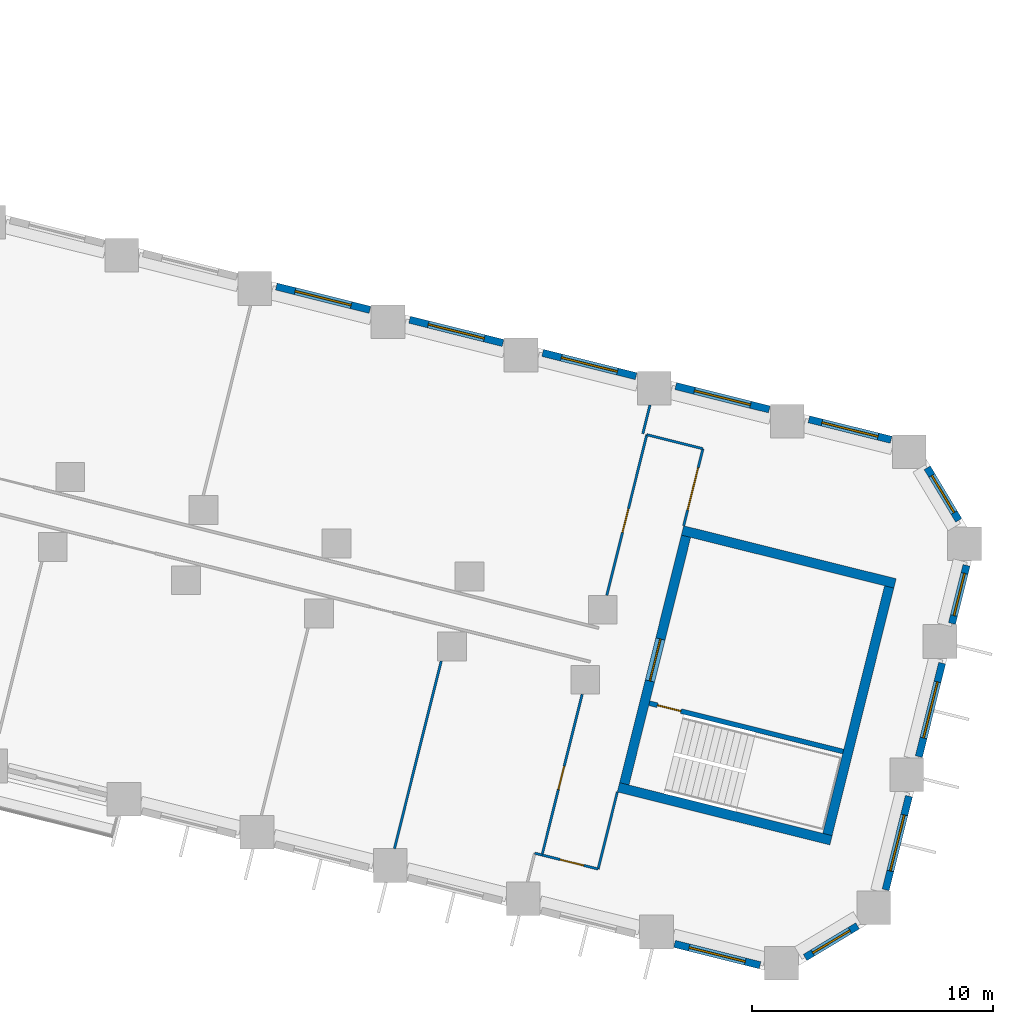
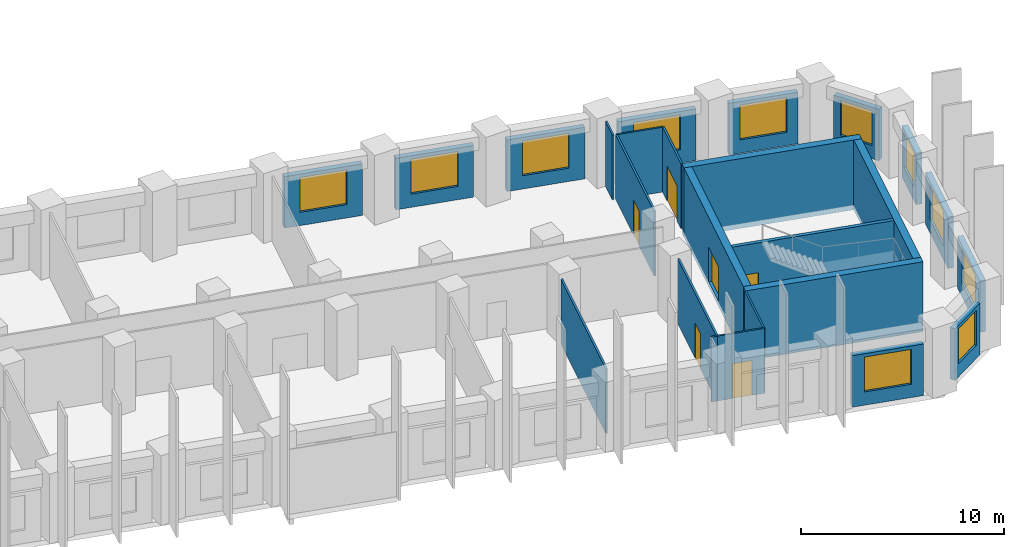
# One storey, part 8 of 12: 25 walls, 11 windows, 6 doors, 17 openings.
"""IFC4 building model written with IfcOpenShell, lengths in metres."""

from ifc_helpers import new_model, si_unit, direction, frame, frame_2d, origin, place, context, subcontext, project, spatial, rectangle, extrude, material, layer, layer_set, type_object, element, fill, save


model = new_model("IFC4")

# Units and contexts
model_context = context("Model", 3, precision=1e-05, world=origin(), true_north=direction((0.0, 1.0)))
body_context = subcontext(model_context, "Body", "Model", "MODEL_VIEW")
ifc_project = project(units=[si_unit("LENGTHUNIT", "METRE"), si_unit("AREAUNIT", "SQUARE_METRE"), si_unit("VOLUMEUNIT", "CUBIC_METRE"), si_unit("PLANEANGLEUNIT", "RADIAN"), si_unit("MASSUNIT", "GRAM", prefix="KILO")], contexts=[model_context])

# Site, building, storey
site_placement = place(None, origin())
site = spatial("IfcSite", under=ifc_project, at=site_placement, CompositionType="ELEMENT")
building_placement = place(site_placement, origin())
building = spatial("IfcBuilding", under=site, at=building_placement, Name="Meshkara Civic Tower", CompositionType="ELEMENT")
storey_placement = place(building_placement, frame((0.0, 0.0, 83.39990234375)))
storey = spatial("IfcBuildingStorey", under=building, at=storey_placement, Name="L18", CompositionType="ELEMENT", Elevation=83.39990234375)

# Wall, opening, door
ifc_material_1 = material(Name="Corridor wall 100")
ifc_layer_1 = layer(ifc_material_1, 0.10009765625)
ifc_layer_set_1 = layer_set([ifc_layer_1], Name="Corridor wall 100")
wall_type_1 = type_object("IfcWallType", Name="Corridor wall 100", PredefinedType="PARTITIONING", material=ifc_layer_set_1)
wall_1_placement = place(storey_placement, frame((72.93603515625, -15.7109375, 0.0), z_axis=(0.0, 0.0, 1.0), x_axis=(0.970232217337, -0.242176473756, 0.0)))
wall_1 = element("IfcWall", 1, at=wall_1_placement, inside=storey, type_object=wall_type_1, Name="L18-W024", PredefinedType="PARTITIONING", context=body_context, shape_type="SweptSolid", body=[
    extrude(rectangle(XDim=2.3994140625, YDim=0.10009765625, at=frame_2d((1.19970703125, 0.0))), origin(), (0.0, 0.0, 1.0), 3.900146484375),
])
opening_1_placement = place(wall_1_placement, frame((0.780029296875, 0.0, 0.0)))
opening_1 = element("IfcOpeningElement", 2, at=opening_1_placement, cuts=wall_1, Name="Opening L18-D002", PredefinedType="OPENING", context=body_context, shape_type="SweptSolid", body=[
    extrude(rectangle(XDim=1.0, YDim=2.10009765625, at=frame_2d((0.5, 1.050048828125))), frame((0.0, 0.06005859375, 0.0), z_axis=(0.0, -1.0, 0.0), x_axis=(1.0, 0.0, 0.0)), (0.0, 0.0, 1.0), 0.1201171875),
])
ifc_material_2 = material(Name="Door 1000 x 2100")
door_type_1 = type_object("IfcDoorType", Name="Door 1000 x 2100", OperationType="SINGLE_SWING_LEFT", PredefinedType="DOOR", material=ifc_material_2)
door_1_placement = place(opening_1_placement, origin())
door_1 = element("IfcDoor", 3, at=door_1_placement, inside=storey, type_object=door_type_1, Name="L18-D002", OperationType="SINGLE_SWING_LEFT", OverallHeight=2.10009765625, OverallWidth=1.0, PredefinedType="DOOR", context=body_context, shape_type="SweptSolid", body=[
    extrude(rectangle(XDim=1.0, YDim=2.10009765625, at=frame_2d((0.5, 1.050048828125))), frame((0.0, 0.02490234375, 0.0), z_axis=(0.0, -1.0, 0.0), x_axis=(1.0, 0.0, 0.0)), (0.0, 0.0, 1.0), 0.050048828125),
])
fill(opening_1, door_1)

wall_2_placement = place(storey_placement, frame((74.60205078125, -9.029052734375, 0.0), z_axis=(0.0, 0.0, 1.0), x_axis=(-0.241926631527, -0.970294545465, 0.0)))
wall_2 = element("IfcWall", 4, at=wall_2_placement, inside=storey, type_object=wall_type_1, Name="L18-W025", PredefinedType="PARTITIONING", context=body_context, shape_type="SweptSolid", body=[
    extrude(rectangle(XDim=6.886474609375, YDim=0.10009765625, at=frame_2d((3.443359375, 0.0))), origin(), (0.0, 0.0, 1.0), 3.900146484375),
])
opening_2_placement = place(wall_2_placement, frame((3.080078125, 0.0, 0.0)))
opening_2 = element("IfcOpeningElement", 5, at=opening_2_placement, cuts=wall_2, Name="Opening L18-D001", PredefinedType="OPENING", context=body_context, shape_type="SweptSolid", body=[
    extrude(rectangle(XDim=1.0, YDim=2.10009765625, at=frame_2d((0.5, 1.050048828125))), frame((0.0, 0.06005859375, 0.0), z_axis=(0.0, -1.0, 0.0), x_axis=(1.0, 0.0, 0.0)), (0.0, 0.0, 1.0), 0.1201171875),
])
door_2_placement = place(opening_2_placement, origin())
door_2 = element("IfcDoor", 6, at=door_2_placement, inside=storey, type_object=door_type_1, Name="L18-D001", OperationType="SINGLE_SWING_LEFT", OverallHeight=2.10009765625, OverallWidth=1.0, PredefinedType="DOOR", context=body_context, shape_type="SweptSolid", body=[
    extrude(rectangle(XDim=1.0, YDim=2.10009765625, at=frame_2d((0.5, 1.050048828125))), frame((0.0, 0.02490234375, 0.0), z_axis=(0.0, -1.0, 0.0), x_axis=(1.0, 0.0, 0.0)), (0.0, 0.0, 1.0), 0.050048828125),
])
fill(opening_2, door_2)

# Wall
wall_3_placement = place(storey_placement, frame((75.263916015625, -16.2919921875, 0.0), z_axis=(0.0, 0.0, 1.0), x_axis=(0.242135244173, 0.970242507587, 0.0)))
element("IfcWall", 7, at=wall_3_placement, inside=storey, type_object=wall_type_1, Name="L18-W026", PredefinedType="PARTITIONING", context=body_context, shape_type="SweptSolid", body=[
    extrude(rectangle(XDim=3.300048828125, YDim=0.10009765625, at=frame_2d((1.64990234375, 0.0))), origin(), (0.0, 0.0, 1.0), 3.900146484375),
])

# Wall, opening, door
wall_4_placement = place(storey_placement, frame((77.2900390625, 1.75390625, 0.0), z_axis=(0.0, 0.0, 1.0), x_axis=(-0.241867218289, -0.970309357224, 0.0)))
wall_4 = element("IfcWall", 8, at=wall_4_placement, inside=storey, type_object=wall_type_1, Name="L18-W027", PredefinedType="PARTITIONING", context=body_context, shape_type="SweptSolid", body=[
    extrude(rectangle(XDim=6.8759765625, YDim=0.10009765625, at=frame_2d((3.43798828125, 0.0))), origin(), (0.0, 0.0, 1.0), 3.900146484375),
])
opening_3_placement = place(wall_4_placement, frame((3.179931640625, 0.0, 0.0)))
opening_3 = element("IfcOpeningElement", 9, at=opening_3_placement, cuts=wall_4, Name="Opening L18-D008", PredefinedType="OPENING", context=body_context, shape_type="SweptSolid", body=[
    extrude(rectangle(XDim=1.0, YDim=2.10009765625, at=frame_2d((0.5, 1.050048828125))), frame((0.0, 0.06005859375, 0.0), z_axis=(0.0, -1.0, 0.0), x_axis=(1.0, 0.0, 0.0)), (0.0, 0.0, 1.0), 0.1201171875),
])
door_3_placement = place(opening_3_placement, origin())
door_3 = element("IfcDoor", 10, at=door_3_placement, inside=storey, type_object=door_type_1, Name="L18-D008", OperationType="SINGLE_SWING_LEFT", OverallHeight=2.10009765625, OverallWidth=1.0, PredefinedType="DOOR", context=body_context, shape_type="SweptSolid", body=[
    extrude(rectangle(XDim=1.0, YDim=2.10009765625, at=frame_2d((0.5, 1.050048828125))), frame((0.0, 0.02490234375, 0.0), z_axis=(0.0, -1.0, 0.0), x_axis=(1.0, 0.0, 0.0)), (0.0, 0.0, 1.0), 0.050048828125),
])
fill(opening_3, door_3)

wall_5_placement = place(storey_placement, frame((78.821044921875, -2.029052734375, 0.0), z_axis=(0.0, 0.0, 1.0), x_axis=(0.241769629392, 0.970333677816, 0.0)))
wall_5 = element("IfcWall", 11, at=wall_5_placement, inside=storey, type_object=wall_type_1, Name="L18-W028", PredefinedType="PARTITIONING", context=body_context, shape_type="SweptSolid", body=[
    extrude(rectangle(XDim=3.300048828125, YDim=0.10009765625, at=frame_2d((1.64990234375, 0.0))), origin(), (0.0, 0.0, 1.0), 3.900146484375),
])
opening_4_placement = place(wall_5_placement, frame((0.679931640625, 0.0, 0.0)))
opening_4 = element("IfcOpeningElement", 12, at=opening_4_placement, cuts=wall_5, Name="Opening L18-D009", PredefinedType="OPENING", context=body_context, shape_type="SweptSolid", body=[
    extrude(rectangle(XDim=1.800048828125, YDim=2.10009765625, at=frame_2d((0.89990234375, 1.050048828125))), frame((0.0, 0.06005859375, 0.0), z_axis=(0.0, -1.0, 0.0), x_axis=(1.0, 0.0, 0.0)), (0.0, 0.0, 1.0), 0.1201171875),
])
ifc_material_3 = material(Name="Door pair 1800 x 2100")
door_type_2 = type_object("IfcDoorType", Name="Door pair 1800 x 2100", OperationType="SINGLE_SWING_LEFT", PredefinedType="DOOR", material=ifc_material_3)
door_4_placement = place(opening_4_placement, origin())
door_4 = element("IfcDoor", 13, at=door_4_placement, inside=storey, type_object=door_type_2, Name="L18-D009", OperationType="DOUBLE_DOOR_SINGLE_SWING", OverallHeight=2.10009765625, OverallWidth=1.800048828125, PredefinedType="DOOR", context=body_context, shape_type="SweptSolid", body=[
    extrude(rectangle(XDim=1.800048828125, YDim=2.10009765625, at=frame_2d((0.89990234375, 1.050048828125))), frame((0.0, 0.02490234375, 0.0), z_axis=(0.0, -1.0, 0.0), x_axis=(1.0, 0.0, 0.0)), (0.0, 0.0, 1.0), 0.050048828125),
])
fill(opening_4, door_4)

# Wall
wall_6_placement = place(storey_placement, frame((79.618896484375, 1.173095703125, 0.0), z_axis=(0.0, 0.0, 1.0), x_axis=(-0.970279961304, 0.241985116673, 0.0)))
element("IfcWall", 14, at=wall_6_placement, inside=storey, type_object=wall_type_1, Name="L18-W029", PredefinedType="PARTITIONING", context=body_context, shape_type="SweptSolid", body=[
    extrude(rectangle(XDim=2.400146484375, YDim=0.10009765625, at=frame_2d((1.2001953125, 0.0))), origin(), (0.0, 0.0, 1.0), 3.900146484375),
])

# Wall, opening, window
ifc_material_4 = material(Name="Insulated infill panel with bronze anodised aluminium cladding", Category="aluminium")
ifc_layer_2 = layer(ifc_material_4, 0.300048828125)
ifc_layer_set_2 = layer_set([ifc_layer_2], Name="EXTERNAL INFILL WALL 300")
wall_type_2 = type_object("IfcWallType", Name="EXTERNAL INFILL WALL 300", PredefinedType="SOLIDWALL", material=ifc_layer_set_2)
wall_7_placement = place(storey_placement, frame((87.43505859375, 1.54296875, 0.0), z_axis=(0.0, 0.0, 1.0), x_axis=(-0.970289298425, 0.241947674843, 0.0)))
wall_7 = element("IfcWall", 15, at=wall_7_placement, inside=storey, type_object=wall_type_2, Name="External wall", PredefinedType="SOLIDWALL", context=body_context, shape_type="SweptSolid", body=[
    extrude(rectangle(XDim=3.517578125, YDim=0.300048828125, at=frame_2d((1.7587890625, 0.0))), origin(), (0.0, 0.0, 1.0), 3.10009765625),
])
opening_5_placement = place(wall_7_placement, frame((0.55908203125, 0.0, 0.800048828125)))
opening_5 = element("IfcOpeningElement", 16, at=opening_5_placement, cuts=wall_7, Name="Opening W7", PredefinedType="OPENING", context=body_context, shape_type="SweptSolid", body=[
    extrude(rectangle(XDim=2.39990234375, YDim=2.10009765625, at=frame_2d((1.199951171875, 1.050048828125))), frame((0.0, 0.159912109375, 0.0), z_axis=(0.0, -1.0, 0.0), x_axis=(1.0, 0.0, 0.0)), (0.0, 0.0, 1.0), 0.320068359375),
])
ifc_material_5 = material(Name="Tinted double glazing", Category="glass")
window_type_1 = type_object("IfcWindowType", Name="WINDOW 2400x2100", PartitioningType="DOUBLE_PANEL_VERTICAL", PredefinedType="WINDOW", material=ifc_material_5)
window_1_placement = place(opening_5_placement, origin())
window_1 = element("IfcWindow", 17, at=window_1_placement, inside=storey, type_object=window_type_1, Name="Window", OverallHeight=2.10009765625, OverallWidth=2.39990234375, PartitioningType="DOUBLE_PANEL_VERTICAL", PredefinedType="WINDOW", context=body_context, shape_type="SweptSolid", body=[
    extrude(rectangle(XDim=2.39990234375, YDim=2.10009765625, at=frame_2d((1.199951171875, 1.050048828125))), frame((0.0, 0.030029296875, 0.0), z_axis=(0.0, -1.0, 0.0), x_axis=(1.0, 0.0, 0.0)), (0.0, 0.0, 1.0), 0.06005859375),
])
fill(opening_5, window_1)

wall_8_placement = place(storey_placement, frame((82.375, 2.804931640625, 0.0), z_axis=(0.0, 0.0, 1.0), x_axis=(-0.970318045095, 0.24183236211, 0.0)))
wall_8 = element("IfcWall", 18, at=wall_8_placement, inside=storey, type_object=wall_type_2, Name="External wall", PredefinedType="SOLIDWALL", context=body_context, shape_type="SweptSolid", body=[
    extrude(rectangle(XDim=4.0029296875, YDim=0.300048828125, at=frame_2d((2.00146484375, 0.0))), origin(), (0.0, 0.0, 1.0), 3.10009765625),
])
opening_6_placement = place(wall_8_placement, frame((0.802001953125, 0.0, 0.800048828125)))
opening_6 = element("IfcOpeningElement", 19, at=opening_6_placement, cuts=wall_8, Name="Opening W7", PredefinedType="OPENING", context=body_context, shape_type="SweptSolid", body=[
    extrude(rectangle(XDim=2.39990234375, YDim=2.10009765625, at=frame_2d((1.199951171875, 1.050048828125))), frame((0.0, 0.159912109375, 0.0), z_axis=(0.0, -1.0, 0.0), x_axis=(1.0, 0.0, 0.0)), (0.0, 0.0, 1.0), 0.320068359375),
])
window_2_placement = place(opening_6_placement, origin())
window_2 = element("IfcWindow", 20, at=window_2_placement, inside=storey, type_object=window_type_1, Name="Window", OverallHeight=2.10009765625, OverallWidth=2.39990234375, PartitioningType="DOUBLE_PANEL_VERTICAL", PredefinedType="WINDOW", context=body_context, shape_type="SweptSolid", body=[
    extrude(rectangle(XDim=2.39990234375, YDim=2.10009765625, at=frame_2d((1.199951171875, 1.050048828125))), frame((0.0, 0.030029296875, 0.0), z_axis=(0.0, -1.0, 0.0), x_axis=(1.0, 0.0, 0.0)), (0.0, 0.0, 1.0), 0.06005859375),
])
fill(opening_6, window_2)

wall_9_placement = place(storey_placement, frame((76.843994140625, 4.18408203125, 0.0), z_axis=(0.0, 0.0, 1.0), x_axis=(-0.970303772127, 0.241889623168, 0.0)))
wall_9 = element("IfcWall", 21, at=wall_9_placement, inside=storey, type_object=wall_type_2, Name="External wall", PredefinedType="SOLIDWALL", context=body_context, shape_type="SweptSolid", body=[
    extrude(rectangle(XDim=4.001953125, YDim=0.300048828125, at=frame_2d((2.0009765625, 0.0))), origin(), (0.0, 0.0, 1.0), 3.10009765625),
])
opening_7_placement = place(wall_9_placement, frame((0.801025390625, 0.0, 0.800048828125)))
opening_7 = element("IfcOpeningElement", 22, at=opening_7_placement, cuts=wall_9, Name="Opening W7", PredefinedType="OPENING", context=body_context, shape_type="SweptSolid", body=[
    extrude(rectangle(XDim=2.39990234375, YDim=2.10009765625, at=frame_2d((1.199951171875, 1.050048828125))), frame((0.0, 0.159912109375, 0.0), z_axis=(0.0, -1.0, 0.0), x_axis=(1.0, 0.0, 0.0)), (0.0, 0.0, 1.0), 0.320068359375),
])
window_3_placement = place(opening_7_placement, origin())
window_3 = element("IfcWindow", 23, at=window_3_placement, inside=storey, type_object=window_type_1, Name="Window", OverallHeight=2.10009765625, OverallWidth=2.39990234375, PartitioningType="DOUBLE_PANEL_VERTICAL", PredefinedType="WINDOW", context=body_context, shape_type="SweptSolid", body=[
    extrude(rectangle(XDim=2.39990234375, YDim=2.10009765625, at=frame_2d((1.199951171875, 1.050048828125))), frame((0.0, 0.030029296875, 0.0), z_axis=(0.0, -1.0, 0.0), x_axis=(1.0, 0.0, 0.0)), (0.0, 0.0, 1.0), 0.06005859375),
])
fill(opening_7, window_3)

wall_10_placement = place(storey_placement, frame((71.31396484375, 5.56298828125, 0.0), z_axis=(0.0, 0.0, 1.0), x_axis=(-0.970318045095, 0.24183236211, 0.0)))
wall_10 = element("IfcWall", 24, at=wall_10_placement, inside=storey, type_object=wall_type_2, Name="External wall", PredefinedType="SOLIDWALL", context=body_context, shape_type="SweptSolid", body=[
    extrude(rectangle(XDim=4.0029296875, YDim=0.300048828125, at=frame_2d((2.00146484375, 0.0))), origin(), (0.0, 0.0, 1.0), 3.10009765625),
])
opening_8_placement = place(wall_10_placement, frame((0.802001953125, 0.0, 0.800048828125)))
opening_8 = element("IfcOpeningElement", 25, at=opening_8_placement, cuts=wall_10, Name="Opening W7", PredefinedType="OPENING", context=body_context, shape_type="SweptSolid", body=[
    extrude(rectangle(XDim=2.39990234375, YDim=2.10009765625, at=frame_2d((1.199951171875, 1.050048828125))), frame((0.0, 0.159912109375, 0.0), z_axis=(0.0, -1.0, 0.0), x_axis=(1.0, 0.0, 0.0)), (0.0, 0.0, 1.0), 0.320068359375),
])
window_4_placement = place(opening_8_placement, origin())
window_4 = element("IfcWindow", 26, at=window_4_placement, inside=storey, type_object=window_type_1, Name="Window", OverallHeight=2.10009765625, OverallWidth=2.39990234375, PartitioningType="DOUBLE_PANEL_VERTICAL", PredefinedType="WINDOW", context=body_context, shape_type="SweptSolid", body=[
    extrude(rectangle(XDim=2.39990234375, YDim=2.10009765625, at=frame_2d((1.199951171875, 1.050048828125))), frame((0.0, 0.030029296875, 0.0), z_axis=(0.0, -1.0, 0.0), x_axis=(1.0, 0.0, 0.0)), (0.0, 0.0, 1.0), 0.06005859375),
])
fill(opening_8, window_4)

wall_11_placement = place(storey_placement, frame((65.782958984375, 6.94189453125, 0.0), z_axis=(0.0, 0.0, 1.0), x_axis=(-0.970318045095, 0.24183236211, 0.0)))
wall_11 = element("IfcWall", 27, at=wall_11_placement, inside=storey, type_object=wall_type_2, Name="External wall", PredefinedType="SOLIDWALL", context=body_context, shape_type="SweptSolid", body=[
    extrude(rectangle(XDim=4.0029296875, YDim=0.300048828125, at=frame_2d((2.00146484375, 0.0))), origin(), (0.0, 0.0, 1.0), 3.10009765625),
])
opening_9_placement = place(wall_11_placement, frame((0.802001953125, 0.0, 0.800048828125)))
opening_9 = element("IfcOpeningElement", 28, at=opening_9_placement, cuts=wall_11, Name="Opening W7", PredefinedType="OPENING", context=body_context, shape_type="SweptSolid", body=[
    extrude(rectangle(XDim=2.39990234375, YDim=2.10009765625, at=frame_2d((1.199951171875, 1.050048828125))), frame((0.0, 0.159912109375, 0.0), z_axis=(0.0, -1.0, 0.0), x_axis=(1.0, 0.0, 0.0)), (0.0, 0.0, 1.0), 0.320068359375),
])
window_5_placement = place(opening_9_placement, origin())
window_5 = element("IfcWindow", 29, at=window_5_placement, inside=storey, type_object=window_type_1, Name="Window", OverallHeight=2.10009765625, OverallWidth=2.39990234375, PartitioningType="DOUBLE_PANEL_VERTICAL", PredefinedType="WINDOW", context=body_context, shape_type="SweptSolid", body=[
    extrude(rectangle(XDim=2.39990234375, YDim=2.10009765625, at=frame_2d((1.199951171875, 1.050048828125))), frame((0.0, 0.030029296875, 0.0), z_axis=(0.0, -1.0, 0.0), x_axis=(1.0, 0.0, 0.0)), (0.0, 0.0, 1.0), 0.06005859375),
])
fill(opening_9, window_5)

wall_12_placement = place(storey_placement, frame((78.43994140625, -19.402099609375, 0.0), z_axis=(0.0, 0.0, 1.0), x_axis=(0.970271818873, -0.24201776278, 0.0)))
wall_12 = element("IfcWall", 30, at=wall_12_placement, inside=storey, type_object=wall_type_2, Name="External wall", PredefinedType="SOLIDWALL", context=body_context, shape_type="SweptSolid", body=[
    extrude(rectangle(XDim=3.660888671875, YDim=0.300048828125, at=frame_2d((1.83056640625, 0.0))), origin(), (0.0, 0.0, 1.0), 3.10009765625),
])
opening_10_placement = place(wall_12_placement, frame((0.6298828125, 0.0, 0.800048828125)))
opening_10 = element("IfcOpeningElement", 31, at=opening_10_placement, cuts=wall_12, Name="Opening W7", PredefinedType="OPENING", context=body_context, shape_type="SweptSolid", body=[
    extrude(rectangle(XDim=2.39990234375, YDim=2.10009765625, at=frame_2d((1.199951171875, 1.050048828125))), frame((0.0, 0.159912109375, 0.0), z_axis=(0.0, -1.0, 0.0), x_axis=(1.0, 0.0, 0.0)), (0.0, 0.0, 1.0), 0.320068359375),
])
window_6_placement = place(opening_10_placement, origin())
window_6 = element("IfcWindow", 32, at=window_6_placement, inside=storey, type_object=window_type_1, Name="Window", OverallHeight=2.10009765625, OverallWidth=2.39990234375, PartitioningType="DOUBLE_PANEL_VERTICAL", PredefinedType="WINDOW", context=body_context, shape_type="SweptSolid", body=[
    extrude(rectangle(XDim=2.39990234375, YDim=2.10009765625, at=frame_2d((1.199951171875, 1.050048828125))), frame((0.0, 0.030029296875, 0.0), z_axis=(0.0, -1.0, 0.0), x_axis=(1.0, 0.0, 0.0)), (0.0, 0.0, 1.0), 0.06005859375),
])
fill(opening_10, window_6)

wall_13_placement = place(storey_placement, frame((83.865966796875, -19.965087890625, 0.0), z_axis=(0.0, 0.0, 1.0), x_axis=(0.857026568426, 0.515272220299, 0.0)))
wall_13 = element("IfcWall", 33, at=wall_13_placement, inside=storey, type_object=wall_type_2, Name="External wall", PredefinedType="SOLIDWALL", context=body_context, shape_type="SweptSolid", body=[
    extrude(rectangle(XDim=2.54248046875, YDim=0.300048828125, at=frame_2d((1.271240234375, 0.0))), origin(), (0.0, 0.0, 1.0), 3.10009765625),
])
opening_11_placement = place(wall_13_placement, frame((0.37109375, 0.0, 0.800048828125)))
opening_11 = element("IfcOpeningElement", 34, at=opening_11_placement, cuts=wall_13, Name="Opening W9", PredefinedType="OPENING", context=body_context, shape_type="SweptSolid", body=[
    extrude(rectangle(XDim=1.800048828125, YDim=2.10009765625, at=frame_2d((0.89990234375, 1.050048828125))), frame((0.0, 0.159912109375, 0.0), z_axis=(0.0, -1.0, 0.0), x_axis=(1.0, 0.0, 0.0)), (0.0, 0.0, 1.0), 0.320068359375),
])
ifc_material_6 = material(Name="Tinted double glazing", Category="glass")
window_type_2 = type_object("IfcWindowType", Name="WINDOW 1800x2100", PartitioningType="DOUBLE_PANEL_VERTICAL", PredefinedType="WINDOW", material=ifc_material_6)
window_7_placement = place(opening_11_placement, origin())
window_7 = element("IfcWindow", 35, at=window_7_placement, inside=storey, type_object=window_type_2, Name="Window", OverallHeight=2.10009765625, OverallWidth=1.800048828125, PartitioningType="DOUBLE_PANEL_VERTICAL", PredefinedType="WINDOW", context=body_context, shape_type="SweptSolid", body=[
    extrude(rectangle(XDim=1.800048828125, YDim=2.10009765625, at=frame_2d((0.89990234375, 1.050048828125))), frame((0.0, 0.030029296875, 0.0), z_axis=(0.0, -1.0, 0.0), x_axis=(1.0, 0.0, 0.0)), (0.0, 0.0, 1.0), 0.06005859375),
])
fill(opening_11, window_7)

wall_14_placement = place(storey_placement, frame((87.2109375, -17.152099609375, 0.0), z_axis=(0.0, 0.0, 1.0), x_axis=(0.24183236211, 0.970318045095, 0.0)))
wall_14 = element("IfcWall", 36, at=wall_14_placement, inside=storey, type_object=wall_type_2, Name="External wall", PredefinedType="SOLIDWALL", context=body_context, shape_type="SweptSolid", body=[
    extrude(rectangle(XDim=4.0029296875, YDim=0.300048828125, at=frame_2d((2.00146484375, 0.0))), origin(), (0.0, 0.0, 1.0), 3.10009765625),
])
opening_12_placement = place(wall_14_placement, frame((0.802001953125, 0.0, 0.800048828125)))
opening_12 = element("IfcOpeningElement", 37, at=opening_12_placement, cuts=wall_14, Name="Opening W7", PredefinedType="OPENING", context=body_context, shape_type="SweptSolid", body=[
    extrude(rectangle(XDim=2.39990234375, YDim=2.10009765625, at=frame_2d((1.199951171875, 1.050048828125))), frame((0.0, 0.159912109375, 0.0), z_axis=(0.0, -1.0, 0.0), x_axis=(1.0, 0.0, 0.0)), (0.0, 0.0, 1.0), 0.320068359375),
])
window_8_placement = place(opening_12_placement, origin())
window_8 = element("IfcWindow", 38, at=window_8_placement, inside=storey, type_object=window_type_1, Name="Window", OverallHeight=2.10009765625, OverallWidth=2.39990234375, PartitioningType="DOUBLE_PANEL_VERTICAL", PredefinedType="WINDOW", context=body_context, shape_type="SweptSolid", body=[
    extrude(rectangle(XDim=2.39990234375, YDim=2.10009765625, at=frame_2d((1.199951171875, 1.050048828125))), frame((0.0, 0.030029296875, 0.0), z_axis=(0.0, -1.0, 0.0), x_axis=(1.0, 0.0, 0.0)), (0.0, 0.0, 1.0), 0.06005859375),
])
fill(opening_12, window_8)

wall_15_placement = place(storey_placement, frame((88.590087890625, -11.62109375, 0.0), z_axis=(0.0, 0.0, 1.0), x_axis=(0.241889623168, 0.970303772127, 0.0)))
wall_15 = element("IfcWall", 39, at=wall_15_placement, inside=storey, type_object=wall_type_2, Name="External wall", PredefinedType="SOLIDWALL", context=body_context, shape_type="SweptSolid", body=[
    extrude(rectangle(XDim=4.001953125, YDim=0.300048828125, at=frame_2d((2.0009765625, 0.0))), origin(), (0.0, 0.0, 1.0), 3.10009765625),
])
opening_13_placement = place(wall_15_placement, frame((0.801025390625, 0.0, 0.800048828125)))
opening_13 = element("IfcOpeningElement", 40, at=opening_13_placement, cuts=wall_15, Name="Opening W7", PredefinedType="OPENING", context=body_context, shape_type="SweptSolid", body=[
    extrude(rectangle(XDim=2.39990234375, YDim=2.10009765625, at=frame_2d((1.199951171875, 1.050048828125))), frame((0.0, 0.159912109375, 0.0), z_axis=(0.0, -1.0, 0.0), x_axis=(1.0, 0.0, 0.0)), (0.0, 0.0, 1.0), 0.320068359375),
])
window_9_placement = place(opening_13_placement, origin())
window_9 = element("IfcWindow", 41, at=window_9_placement, inside=storey, type_object=window_type_1, Name="Window", OverallHeight=2.10009765625, OverallWidth=2.39990234375, PartitioningType="DOUBLE_PANEL_VERTICAL", PredefinedType="WINDOW", context=body_context, shape_type="SweptSolid", body=[
    extrude(rectangle(XDim=2.39990234375, YDim=2.10009765625, at=frame_2d((1.199951171875, 1.050048828125))), frame((0.0, 0.030029296875, 0.0), z_axis=(0.0, -1.0, 0.0), x_axis=(1.0, 0.0, 0.0)), (0.0, 0.0, 1.0), 0.06005859375),
])
fill(opening_13, window_9)

wall_16_placement = place(storey_placement, frame((89.968994140625, -6.091064453125, 0.0), z_axis=(0.0, 0.0, 1.0), x_axis=(0.241797277733, 0.9703267885, 0.0)))
wall_16 = element("IfcWall", 42, at=wall_16_placement, inside=storey, type_object=wall_type_2, Name="External wall", PredefinedType="SOLIDWALL", context=body_context, shape_type="SweptSolid", body=[
    extrude(rectangle(XDim=2.489990234375, YDim=0.300048828125, at=frame_2d((1.2451171875, 0.0))), origin(), (0.0, 0.0, 1.0), 3.10009765625),
])
opening_14_placement = place(wall_16_placement, frame((0.344970703125, 0.0, 0.800048828125)))
opening_14 = element("IfcOpeningElement", 43, at=opening_14_placement, cuts=wall_16, Name="Opening W9", PredefinedType="OPENING", context=body_context, shape_type="SweptSolid", body=[
    extrude(rectangle(XDim=1.800048828125, YDim=2.10009765625, at=frame_2d((0.89990234375, 1.050048828125))), frame((0.0, 0.159912109375, 0.0), z_axis=(0.0, -1.0, 0.0), x_axis=(1.0, 0.0, 0.0)), (0.0, 0.0, 1.0), 0.320068359375),
])
window_10_placement = place(opening_14_placement, origin())
window_10 = element("IfcWindow", 44, at=window_10_placement, inside=storey, type_object=window_type_2, Name="Window", OverallHeight=2.10009765625, OverallWidth=1.800048828125, PartitioningType="DOUBLE_PANEL_VERTICAL", PredefinedType="WINDOW", context=body_context, shape_type="SweptSolid", body=[
    extrude(rectangle(XDim=1.800048828125, YDim=2.10009765625, at=frame_2d((0.89990234375, 1.050048828125))), frame((0.0, 0.030029296875, 0.0), z_axis=(0.0, -1.0, 0.0), x_axis=(1.0, 0.0, 0.0)), (0.0, 0.0, 1.0), 0.06005859375),
])
fill(opening_14, window_10)

wall_17_placement = place(storey_placement, frame((90.248046875, -1.801025390625, 0.0), z_axis=(0.0, 0.0, 1.0), x_axis=(-0.515441886055, 0.856924536992, 0.0)))
wall_17 = element("IfcWall", 45, at=wall_17_placement, inside=storey, type_object=wall_type_2, Name="External wall", PredefinedType="SOLIDWALL", context=body_context, shape_type="SweptSolid", body=[
    extrude(rectangle(XDim=2.54150390625, YDim=0.300048828125, at=frame_2d((1.270751953125, 0.0))), origin(), (0.0, 0.0, 1.0), 3.10009765625),
])
opening_15_placement = place(wall_17_placement, frame((0.37109375, 0.0, 0.800048828125)))
opening_15 = element("IfcOpeningElement", 46, at=opening_15_placement, cuts=wall_17, Name="Opening W9", PredefinedType="OPENING", context=body_context, shape_type="SweptSolid", body=[
    extrude(rectangle(XDim=1.800048828125, YDim=2.10009765625, at=frame_2d((0.89990234375, 1.050048828125))), frame((0.0, 0.159912109375, 0.0), z_axis=(0.0, -1.0, 0.0), x_axis=(1.0, 0.0, 0.0)), (0.0, 0.0, 1.0), 0.320068359375),
])
window_11_placement = place(opening_15_placement, origin())
window_11 = element("IfcWindow", 47, at=window_11_placement, inside=storey, type_object=window_type_2, Name="Window", OverallHeight=2.10009765625, OverallWidth=1.800048828125, PartitioningType="DOUBLE_PANEL_VERTICAL", PredefinedType="WINDOW", context=body_context, shape_type="SweptSolid", body=[
    extrude(rectangle(XDim=1.800048828125, YDim=2.10009765625, at=frame_2d((0.89990234375, 1.050048828125))), frame((0.0, 0.030029296875, 0.0), z_axis=(0.0, -1.0, 0.0), x_axis=(1.0, 0.0, 0.0)), (0.0, 0.0, 1.0), 0.06005859375),
])
fill(opening_15, window_11)

# Walls
ifc_material_7 = material(Name="Concrete C80", Category="concrete")
ifc_layer_3 = layer(ifc_material_7, 0.39990234375)
ifc_layer_set_3 = layer_set([ifc_layer_3], Name="End core ring wall 400 C80")
wall_type_3 = type_object("IfcWallType", Name="End core ring wall 400 C80", PredefinedType="SHEAR", material=ifc_layer_set_3)
wall_18_placement = place(storey_placement, frame((76.111083984375, -12.89599609375, -0.2998046875), z_axis=(0.0, 0.0, 1.0), x_axis=(0.970311127573, -0.241860115992, 0.0)))
element("IfcWall", 48, at=wall_18_placement, inside=storey, type_object=wall_type_3, Name="L18-C031", PredefinedType="SHEAR", context=body_context, shape_type="SweptSolid", body=[
    extrude(rectangle(XDim=9.10009765625, YDim=0.39990234375, at=frame_2d((4.550048828125, 0.0))), origin(), (0.0, 0.0, 1.0), 4.199951171875),
])
wall_19_placement = place(storey_placement, frame((78.77197265625, -2.222900390625, -0.2998046875), z_axis=(0.0, 0.0, 1.0), x_axis=(0.970306400786, -0.241879078453, 0.0)))
element("IfcWall", 49, at=wall_19_placement, inside=storey, type_object=wall_type_3, Name="L18-C032", PredefinedType="SHEAR", context=body_context, shape_type="SweptSolid", body=[
    extrude(rectangle(XDim=9.100341796875, YDim=0.39990234375, at=frame_2d((4.55029296875, 0.0))), origin(), (0.0, 0.0, 1.0), 4.199951171875),
])

# Wall, opening, door
wall_20_placement = place(storey_placement, frame((76.35302734375, -12.75, -0.2998046875), z_axis=(0.0, 0.0, 1.0), x_axis=(0.241977390218, 0.970281888228, 0.0)))
wall_20 = element("IfcWall", 50, at=wall_20_placement, inside=storey, type_object=wall_type_3, Name="L18-C033", PredefinedType="SHEAR", context=body_context, shape_type="SweptSolid", body=[
    extrude(rectangle(XDim=10.599853515625, YDim=0.39990234375, at=frame_2d((5.2998046875, 0.0))), origin(), (0.0, 0.0, 1.0), 4.199951171875),
])
opening_16_placement = place(wall_20_placement, frame((4.39990234375, 0.0, 0.300048828125)))
opening_16 = element("IfcOpeningElement", 51, at=opening_16_placement, cuts=wall_20, Name="Opening L18-K202", PredefinedType="OPENING", context=body_context, shape_type="SweptSolid", body=[
    extrude(rectangle(XDim=1.800048828125, YDim=2.10009765625, at=frame_2d((0.89990234375, 1.050048828125))), frame((0.0, 0.2099609375, 0.0), z_axis=(0.0, -1.0, 0.0), x_axis=(1.0, 0.0, 0.0)), (0.0, 0.0, 1.0), 0.419921875),
])
ifc_material_8 = material(Name="Fire-rated door leaf in steel frame", Category="steel")
door_type_3 = type_object("IfcDoorType", Name="Core double door 1800 EI 60", OperationType="DOUBLE_DOOR_SINGLE_SWING", PredefinedType="DOOR", material=ifc_material_8)
door_5_placement = place(opening_16_placement, origin())
door_5 = element("IfcDoor", 52, at=door_5_placement, inside=storey, type_object=door_type_3, Name="L18-K202", OperationType="DOUBLE_DOOR_SINGLE_SWING", OverallHeight=2.10009765625, OverallWidth=1.800048828125, PredefinedType="DOOR", context=body_context, shape_type="SweptSolid", body=[
    extrude(rectangle(XDim=1.800048828125, YDim=2.10009765625, at=frame_2d((0.89990234375, 1.050048828125))), frame((0.0, 0.02490234375, 0.0), z_axis=(0.0, -1.0, 0.0), x_axis=(1.0, 0.0, 0.0)), (0.0, 0.0, 1.0), 0.050048828125),
])
fill(opening_16, door_5)

# Walls
wall_21_placement = place(storey_placement, frame((84.794921875, -14.85498046875, -0.2998046875), z_axis=(0.0, 0.0, 1.0), x_axis=(0.241890652548, 0.970303515509, 0.0)))
element("IfcWall", 53, at=wall_21_placement, inside=storey, type_object=wall_type_3, Name="L18-C034", PredefinedType="SHEAR", context=body_context, shape_type="SweptSolid", body=[
    extrude(rectangle(XDim=10.599609375, YDim=0.39990234375, at=frame_2d((5.2998046875, 0.0))), origin(), (0.0, 0.0, 1.0), 4.199951171875),
])
ifc_material_9 = material(Name="Partition 100")
ifc_layer_4 = layer(ifc_material_9, 0.10009765625)
ifc_layer_set_4 = layer_set([ifc_layer_4], Name="Partition 100")
wall_type_4 = type_object("IfcWallType", Name="Partition 100", PredefinedType="PARTITIONING", material=ifc_layer_set_4)
wall_22_placement = place(storey_placement, frame((66.802001953125, -15.447998046875, 0.0), z_axis=(0.0, 0.0, 1.0), x_axis=(0.242013819749, 0.970272802386, 0.0)))
element("IfcWall", 54, at=wall_22_placement, inside=storey, type_object=wall_type_4, Name="L18-W053", PredefinedType="PARTITIONING", context=body_context, shape_type="SweptSolid", body=[
    extrude(rectangle(XDim=8.037109375, YDim=0.10009765625, at=frame_2d((4.0185546875, 0.0))), origin(), (0.0, 0.0, 1.0), 3.900146484375),
])
wall_23_placement = place(storey_placement, frame((72.6298828125, -15.635009765625, 0.0), z_axis=(0.0, 0.0, 1.0), x_axis=(0.970590389113, -0.240736986276, 0.0)))
element("IfcWall", 55, at=wall_23_placement, inside=storey, type_object=wall_type_4, Name="L18-W055", PredefinedType="PARTITIONING", context=body_context, shape_type="SweptSolid", body=[
    extrude(rectangle(XDim=0.3193359375, YDim=0.10009765625, at=frame_2d((0.15966796875, 0.0))), origin(), (0.0, 0.0, 1.0), 3.900146484375),
])
wall_24_placement = place(storey_placement, frame((77.1240234375, 1.794921875, 0.0), z_axis=(0.0, 0.0, 1.0), x_axis=(0.241647114831, 0.970364195493, 0.0)))
element("IfcWall", 56, at=wall_24_placement, inside=storey, type_object=wall_type_4, Name="L18-W056", PredefinedType="PARTITIONING", context=body_context, shape_type="SweptSolid", body=[
    extrude(rectangle(XDim=1.228515625, YDim=0.10009765625, at=frame_2d((0.6142578125, 0.0))), origin(), (0.0, 0.0, 1.0), 3.900146484375),
])

# Wall, opening, door
ifc_material_10 = material(Name="Concrete C40/50", Category="concrete")
ifc_layer_5 = layer(ifc_material_10, 0.199951171875)
ifc_layer_set_5 = layer_set([ifc_layer_5], Name="Stair enclosure wall 200 C40/50")
wall_type_5 = type_object("IfcWallType", Name="Stair enclosure wall 200 C40/50", PredefinedType="SOLIDWALL", material=ifc_layer_set_5)
wall_25_placement = place(storey_placement, frame((77.39404296875, -9.403076171875, 0.0), z_axis=(0.0, 0.0, 1.0), x_axis=(0.970303192681, -0.241891947516, 0.0)))
wall_25 = element("IfcWall", 57, at=wall_25_placement, inside=storey, type_object=wall_type_5, Name="L18-C035", PredefinedType="SOLIDWALL", context=body_context, shape_type="SweptSolid", body=[
    extrude(rectangle(XDim=8.300537109375, YDim=0.199951171875, at=frame_2d((4.150390625, 0.0))), origin(), (0.0, 0.0, 1.0), 3.900146484375),
])
opening_17_placement = place(wall_25_placement, frame((0.35009765625, 0.0, 0.0)))
opening_17 = element("IfcOpeningElement", 58, at=opening_17_placement, cuts=wall_25, Name="Opening L18-K201", PredefinedType="OPENING", context=body_context, shape_type="SweptSolid", body=[
    extrude(rectangle(XDim=1.0, YDim=2.10009765625, at=frame_2d((0.5, 1.050048828125))), frame((0.0, 0.10986328125, 0.0), z_axis=(0.0, -1.0, 0.0), x_axis=(1.0, 0.0, 0.0)), (0.0, 0.0, 1.0), 0.219970703125),
])
ifc_material_11 = material(Name="Fire-rated door leaf in steel frame", Category="steel")
door_type_4 = type_object("IfcDoorType", Name="Stair door 1000 EI 120", OperationType="SINGLE_SWING_LEFT", PredefinedType="DOOR", material=ifc_material_11)
door_6_placement = place(opening_17_placement, origin())
door_6 = element("IfcDoor", 59, at=door_6_placement, inside=storey, type_object=door_type_4, Name="L18-K201", OperationType="SINGLE_SWING_LEFT", OverallHeight=2.10009765625, OverallWidth=1.0, PredefinedType="DOOR", context=body_context, shape_type="SweptSolid", body=[
    extrude(rectangle(XDim=1.0, YDim=2.10009765625, at=frame_2d((0.5, 1.050048828125))), frame((0.0, 0.02490234375, 0.0), z_axis=(0.0, -1.0, 0.0), x_axis=(1.0, 0.0, 0.0)), (0.0, 0.0, 1.0), 0.050048828125),
])
fill(opening_17, door_6)

save(model, "model.ifc")
